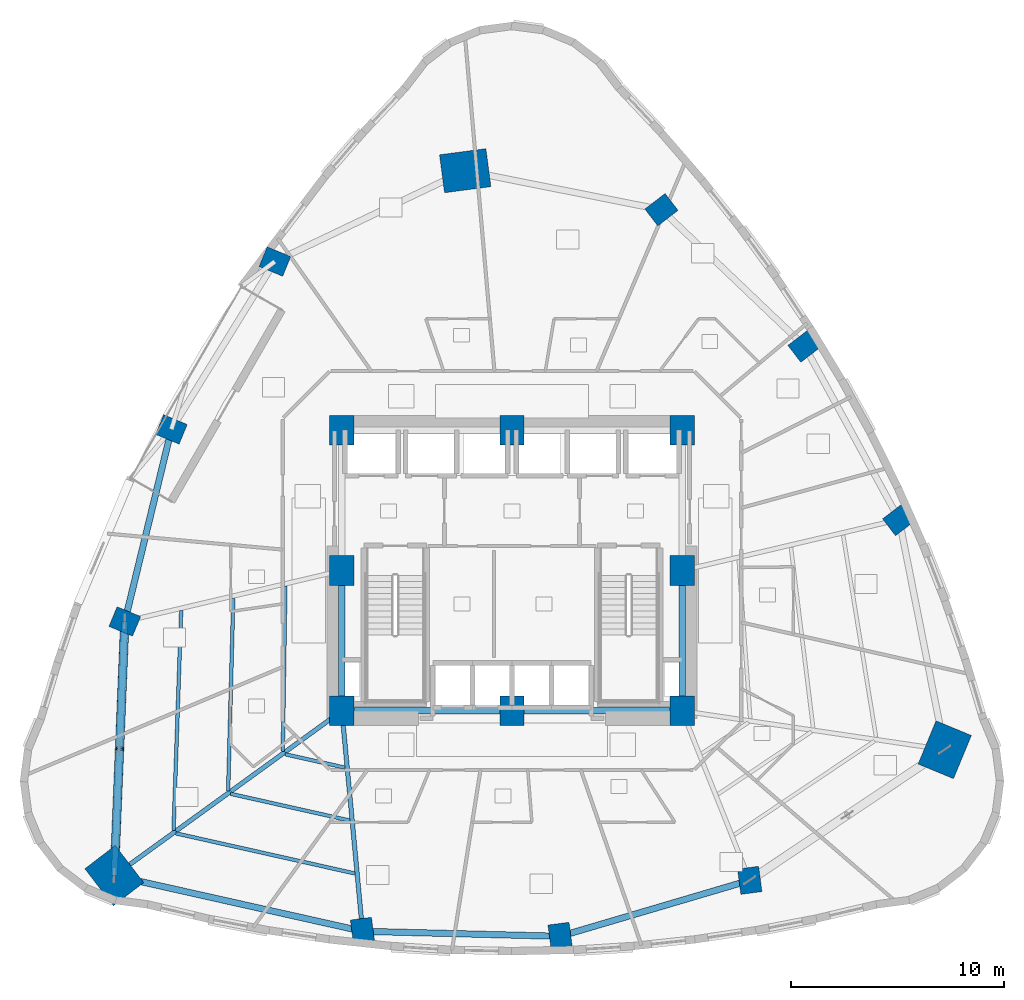
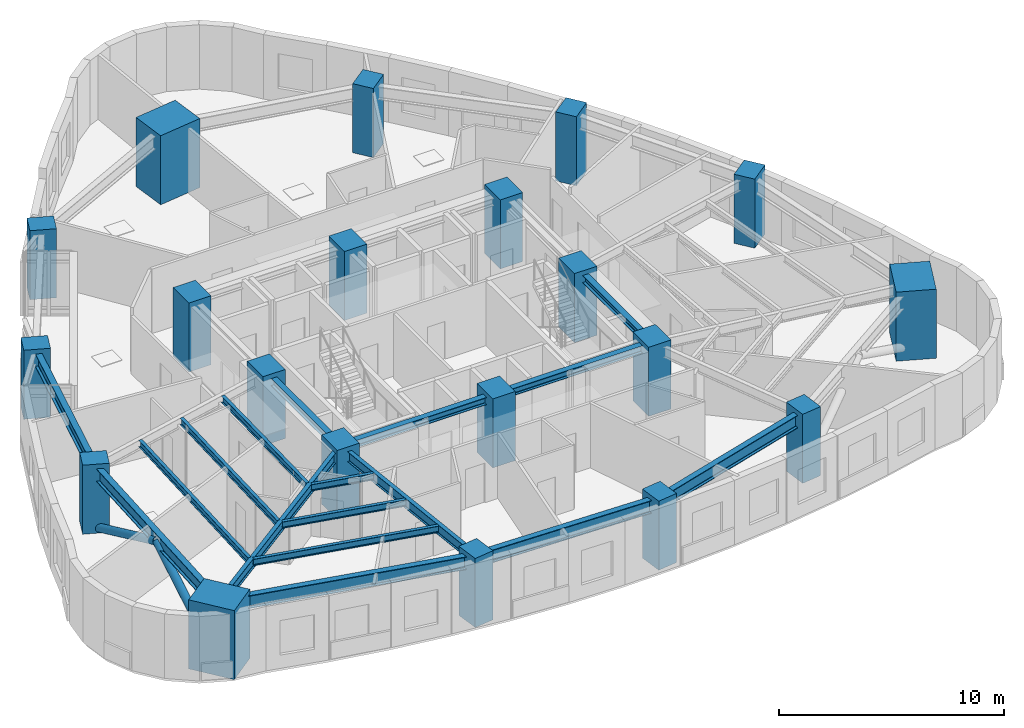
# One storey, part 1 of 13: 20 columns, 17 beams, 2 members.
"""IFC4 building model written with IfcOpenShell, lengths in metres."""

from ifc_helpers import new_model, si_unit, direction, frame, origin, origin_2d, place, context, subcontext, project, spatial, rectangle, hollow_circle, i_section, extrude, material, material_profile, profile_set, type_object, element, save


model = new_model("IFC4")

# Units and contexts
model_context = context("Model", 3, precision=1e-05, world=origin(), true_north=direction((0.0, 1.0)))
body_context = subcontext(model_context, "Body", "Model", "MODEL_VIEW")
ifc_project = project(units=[si_unit("LENGTHUNIT", "METRE"), si_unit("AREAUNIT", "SQUARE_METRE"), si_unit("VOLUMEUNIT", "CUBIC_METRE"), si_unit("PLANEANGLEUNIT", "RADIAN"), si_unit("MASSUNIT", "GRAM", prefix="KILO")], contexts=[model_context])

# Site, building, storey
site_placement = place(None, origin())
site = spatial("IfcSite", under=ifc_project, at=site_placement, CompositionType="ELEMENT")
building_placement = place(site_placement, origin())
building = spatial("IfcBuilding", under=site, at=building_placement, Name="Ndelora Gate Hotel", CompositionType="ELEMENT")
storey_placement = place(building_placement, frame((0.0, 0.0, 34.25)))
storey = spatial("IfcBuildingStorey", under=building, at=storey_placement, Name="L07", CompositionType="ELEMENT", Elevation=34.25)

# Columns
ifc_material_1 = material(Name="Concrete C60/75", Category="concrete")
ifc_material_profile_1 = material_profile(ifc_material_1, rectangle(XDim=1.14990234375, YDim=1.39990234375, at=origin_2d()), Name="RC 1400x1150")
ifc_profile_set_1 = profile_set([ifc_material_profile_1], Name="Concrete C60/75")
column_type_1 = type_object("IfcColumnType", Name="COL-CC-LOW", PredefinedType="COLUMN", material=ifc_profile_set_1)
for number, where, z_axis, x_axis, name in (
    (1, (-8.0, -6.60009765625, 0.0), (0.0, 0.0, 1.0), (1.0, 0.0, 0.0), "L07 Core Column CC1"),
    (2, (0.0, -6.60009765625, 0.0), (0.0, 0.0, 1.0), (1.0, 0.0, 0.0), "L07 Core Column CC2"),
    (3, (8.0, -6.60009765625, 0.0), (0.0, 0.0, 1.0), (1.0, 0.0, 0.0), "L07 Core Column CC3"),
    (4, (8.0, 0.0, 0.0), (0.0, 0.0, 1.0), (1.0, 0.0, 0.0), "L07 Core Column CC4"),
    (5, (8.0, 6.60009765625, 0.0), (0.0, 0.0, 1.0), (1.0, 0.0, 0.0), "L07 Core Column CC5"),
    (6, (0.0, 6.60009765625, 0.0), (0.0, 0.0, 1.0), (1.0, 0.0, 0.0), "L07 Core Column CC6"),
    (7, (-8.0, 6.60009765625, 0.0), (0.0, 0.0, 1.0), (1.0, 0.0, 0.0), "L07 Core Column CC7"),
    (8, (-8.0, 0.0, 0.0), (0.0, 0.0, 1.0), (1.0, 0.0, 0.0), "L07 Core Column CC8"),
):
    element("IfcColumn", number, at=place(storey_placement, frame(where, z_axis=z_axis, x_axis=x_axis)), inside=storey, type_object=column_type_1, Name=name, PredefinedType="COLUMN", context=body_context, shape_type="SweptSolid", body=[
        extrude(rectangle(XDim=1.14990234375, YDim=1.39990234375, at=origin_2d()), origin(), (0.0, 0.0, 1.0), 3.75),
    ])
ifc_material_profile_2 = material_profile(ifc_material_1, rectangle(XDim=1.800048828125, YDim=2.199951171875, at=origin_2d()), Name="RC 2200x1800")
ifc_profile_set_2 = profile_set([ifc_material_profile_2], Name="Concrete C60/75")
column_type_2 = type_object("IfcColumnType", Name="COL-MC-Z1", PredefinedType="COLUMN", material=ifc_profile_set_2)
for number, where, z_axis, x_axis, name in (
    (9, (-2.199951171875, 18.800048828125, 0.0), (0.0, 0.0, 1.0), (-0.13052619222, 0.991444861374, 0.0), "L07 Corner Mega-Column R1"),
    (10, (-18.701904296875, -14.3505859375, 0.0), (0.0, 0.0, 1.0), (0.793353340291, 0.608761429009, 0.0), "L07 Corner Mega-Column R5"),
    (11, (20.35009765625, -8.42919921875, 0.0), (0.0, 0.0, 1.0), (-0.923879532511, 0.382683432365, 0.0), "L07 Corner Mega-Column R9"),
):
    element("IfcColumn", number, at=place(storey_placement, frame(where, z_axis=z_axis, x_axis=x_axis)), inside=storey, type_object=column_type_2, Name=name, PredefinedType="COLUMN", context=body_context, shape_type="SweptSolid", body=[
        extrude(rectangle(XDim=1.800048828125, YDim=2.199951171875, at=origin_2d()), origin(), (0.0, 0.0, 1.0), 3.75),
    ])
ifc_material_profile_3 = material_profile(ifc_material_1, rectangle(XDim=1.0, YDim=1.199951171875, at=origin_2d()), Name="RC 1200x1000")
ifc_profile_set_3 = profile_set([ifc_material_profile_3], Name="Concrete C60/75")
column_type_3 = type_object("IfcColumnType", Name="COL-PT-Z1", PredefinedType="COLUMN", material=ifc_profile_set_3)
for number, where, z_axis, x_axis, name in (
    (12, (-11.1484375, 14.529052734375, 0.0), (0.0, 0.0, 1.0), (0.382683432365, 0.923879532511, 0.0), "L07 Perimeter Tube Column R2"),
    (13, (-16.016845703125, 6.634521484375, 0.0), (0.0, 0.0, 1.0), (0.382683432365, 0.923879532511, 0.0), "L07 Perimeter Tube Column R3"),
    (14, (-18.207275390625, -2.39697265625, 0.0), (0.0, 0.0, 1.0), (0.382683432365, 0.923879532511, 0.0), "L07 Perimeter Tube Column R4"),
    (15, (-7.027587890625, -16.96630859375, 0.0), (0.0, 0.0, 1.0), (0.991444861374, 0.13052619222, 0.0), "L07 Perimeter Tube Column R6"),
    (16, (2.2646484375, -17.20166015625, 0.0), (0.0, 0.0, 1.0), (0.991444861374, 0.13052619222, 0.0), "L07 Perimeter Tube Column R7"),
    (17, (11.179443359375, -14.5693359375, 0.0), (0.0, 0.0, 1.0), (0.991444861374, 0.13052619222, 0.0), "L07 Perimeter Tube Column R8"),
    (18, (18.207275390625, 2.39697265625, 0.0), (0.0, 0.0, 1.0), (-0.608761429009, 0.793353340291, 0.0), "L07 Perimeter Tube Column R10"),
    (19, (13.75390625, 10.5537109375, 0.0), (0.0, 0.0, 1.0), (-0.608761429009, 0.793353340291, 0.0), "L07 Perimeter Tube Column R11"),
    (20, (7.027587890625, 16.96630859375, 0.0), (0.0, 0.0, 1.0), (-0.608761429009, 0.793353340291, 0.0), "L07 Perimeter Tube Column R12"),
):
    element("IfcColumn", number, at=place(storey_placement, frame(where, z_axis=z_axis, x_axis=x_axis)), inside=storey, type_object=column_type_3, Name=name, PredefinedType="COLUMN", context=body_context, shape_type="SweptSolid", body=[
        extrude(rectangle(XDim=1.0, YDim=1.199951171875, at=origin_2d()), origin(), (0.0, 0.0, 1.0), 3.75),
    ])

# Beams
ifc_material_2 = material(Name="Steel S355", Category="steel")
ifc_material_profile_4 = material_profile(ifc_material_2, i_section(OverallWidth=0.300048828125, OverallDepth=0.39990234375, WebThickness=0.013427734375, FlangeThickness=0.02392578125, FilletRadius=0.027099609375, at=origin_2d()), Name="HEB 400")
ifc_profile_set_4 = profile_set([ifc_material_profile_4], Name="Steel S355")
beam_type_1 = type_object("IfcBeamType", Name="BM-CORE-400", PredefinedType="BEAM", material=ifc_profile_set_4)
for number, where, z_axis, x_axis, name in (
    (21, (-8.0, -6.60009765625, 3.300048828125), (0.0, 1.0, 0.0), (-1.0, 0.0, 0.0), "L07 Core Tie Girder CC1-CC8"),
    (22, (8.0, -6.60009765625, 3.300048828125), (0.0, 1.0, 0.0), (-1.0, 0.0, 0.0), "L07 Core Tie Girder CC3-CC4"),
):
    element("IfcBeam", number, at=place(storey_placement, frame(where, z_axis=z_axis, x_axis=x_axis)), inside=storey, type_object=beam_type_1, Name=name, PredefinedType="BEAM", context=body_context, shape_type="SweptSolid", body=[
        extrude(i_section(OverallWidth=0.300048828125, OverallDepth=0.39990234375, WebThickness=0.013427734375, FlangeThickness=0.02392578125, FilletRadius=0.027099609375, at=origin_2d()), origin(), (0.0, 0.0, 1.0), 6.60009765625),
    ])
for number, where, z_axis, x_axis, name in (
    (23, (-8.0, -6.60009765625, 3.300048828125), (1.0, 0.0, 0.0), (0.0, 1.0, 0.0), "L07 Core Tie Girder CC1-CC2"),
    (24, (0.0, -6.60009765625, 3.300048828125), (1.0, 0.0, 0.0), (0.0, 1.0, 0.0), "L07 Core Tie Girder CC2-CC3"),
):
    element("IfcBeam", number, at=place(storey_placement, frame(where, z_axis=z_axis, x_axis=x_axis)), inside=storey, type_object=beam_type_1, Name=name, PredefinedType="BEAM", context=body_context, shape_type="SweptSolid", body=[
        extrude(i_section(OverallWidth=0.300048828125, OverallDepth=0.39990234375, WebThickness=0.013427734375, FlangeThickness=0.02392578125, FilletRadius=0.027099609375, at=origin_2d()), origin(), (0.0, 0.0, 1.0), 8.0),
    ])
ifc_material_profile_5 = material_profile(ifc_material_2, i_section(OverallWidth=0.169921875, OverallDepth=0.360107421875, WebThickness=0.008056640625, FlangeThickness=0.0126953125, FilletRadius=0.01806640625, at=origin_2d()), Name="IPE 360")
ifc_profile_set_5 = profile_set([ifc_material_profile_5], Name="Steel S355")
beam_type_2 = type_object("IfcBeamType", Name="BM-JST-360", PredefinedType="JOIST", material=ifc_profile_set_5)
beam_1_placement = place(storey_placement, frame((-10.65576171875, -0.73828125, 3.320068359375), z_axis=(-0.016071150123, -0.999870850727, 0.0), x_axis=(0.999870850727, -0.016071150123, 0.0)))
element("IfcBeam", 25, at=beam_1_placement, inside=storey, type_object=beam_type_2, Name="L07 Secondary Composite Floor Joist IN-4", PredefinedType="JOIST", context=body_context, shape_type="SweptSolid", body=[
    extrude(i_section(OverallWidth=0.169921875, OverallDepth=0.360107421875, WebThickness=0.008056640625, FlangeThickness=0.0126953125, FilletRadius=0.01806640625, at=origin_2d()), origin(), (0.0, 0.0, 1.0), 7.7626953125),
])
beam_2_placement = place(storey_placement, frame((-13.106689453125, -1.3134765625, 3.320068359375), z_axis=(-0.02665287705, -0.999644748971, 0.0), x_axis=(0.999644748971, -0.02665287705, 0.0)))
element("IfcBeam", 26, at=beam_2_placement, inside=storey, type_object=beam_type_2, Name="L07 Secondary Composite Floor Joist MID-4", PredefinedType="JOIST", context=body_context, shape_type="SweptSolid", body=[
    extrude(i_section(OverallWidth=0.169921875, OverallDepth=0.360107421875, WebThickness=0.008056640625, FlangeThickness=0.0126953125, FilletRadius=0.01806640625, at=origin_2d()), origin(), (0.0, 0.0, 1.0), 9.050048828125),
])
beam_3_placement = place(storey_placement, frame((-15.557373046875, -1.888671875, 3.320068359375), z_axis=(-0.034620883261, -0.999400517532, 0.0), x_axis=(0.999400517532, -0.034620883261, 0.0)))
element("IfcBeam", 27, at=beam_3_placement, inside=storey, type_object=beam_type_2, Name="L07 Secondary Composite Floor Joist OUT-4", PredefinedType="JOIST", context=body_context, shape_type="SweptSolid", body=[
    extrude(i_section(OverallWidth=0.169921875, OverallDepth=0.360107421875, WebThickness=0.008056640625, FlangeThickness=0.0126953125, FilletRadius=0.01806640625, at=origin_2d()), origin(), (0.0, 0.0, 1.0), 10.337890625),
])
beam_4_placement = place(storey_placement, frame((-10.67041015625, -8.640380859375, 3.320068359375), z_axis=(0.975820751938, -0.218572322325, 0.0), x_axis=(0.218572322325, 0.975820751938, 0.0)))
element("IfcBeam", 28, at=beam_4_placement, inside=storey, type_object=beam_type_2, Name="L07 Secondary Composite Floor Joist IN-5", PredefinedType="JOIST", context=body_context, shape_type="SweptSolid", body=[
    extrude(i_section(OverallWidth=0.169921875, OverallDepth=0.360107421875, WebThickness=0.008056640625, FlangeThickness=0.0126953125, FilletRadius=0.01806640625, at=origin_2d()), origin(), (0.0, 0.0, 1.0), 2.880615234375),
])
beam_5_placement = place(storey_placement, frame((-13.23876953125, -10.50048828125, 3.320068359375), z_axis=(0.975805037012, -0.218642470123, 0.0), x_axis=(0.218642470123, 0.975805037012, 0.0)))
element("IfcBeam", 29, at=beam_5_placement, inside=storey, type_object=beam_type_2, Name="L07 Secondary Composite Floor Joist MID-5", PredefinedType="JOIST", context=body_context, shape_type="SweptSolid", body=[
    extrude(i_section(OverallWidth=0.169921875, OverallDepth=0.360107421875, WebThickness=0.008056640625, FlangeThickness=0.0126953125, FilletRadius=0.01806640625, at=origin_2d()), origin(), (0.0, 0.0, 1.0), 5.751708984375),
])
beam_6_placement = place(storey_placement, frame((-15.80712890625, -12.360595703125, 3.320068359375), z_axis=(0.975802493229, -0.218653822759, 0.0), x_axis=(0.218653822759, 0.975802493229, 0.0)))
element("IfcBeam", 30, at=beam_6_placement, inside=storey, type_object=beam_type_2, Name="L07 Secondary Composite Floor Joist OUT-5", PredefinedType="JOIST", context=body_context, shape_type="SweptSolid", body=[
    extrude(i_section(OverallWidth=0.169921875, OverallDepth=0.360107421875, WebThickness=0.008056640625, FlangeThickness=0.0126953125, FilletRadius=0.01806640625, at=origin_2d()), origin(), (0.0, 0.0, 1.0), 8.623291015625),
])
ifc_material_profile_6 = material_profile(ifc_material_2, i_section(OverallWidth=0.2099609375, OverallDepth=0.550048828125, WebThickness=0.010986328125, FlangeThickness=0.01708984375, FilletRadius=0.02392578125, at=origin_2d()), Name="IPE 550")
ifc_profile_set_6 = profile_set([ifc_material_profile_6], Name="Steel S355")
beam_type_3 = type_object("IfcBeamType", Name="BM-RAD-550", PredefinedType="BEAM", material=ifc_profile_set_6)
beam_7_placement = place(storey_placement, frame((-8.0, -6.60009765625, 3.22509765625), z_axis=(-0.809912157619, -0.586551188679, 0.0), x_axis=(0.586551188679, -0.809912157619, 0.0)))
element("IfcBeam", 31, at=beam_7_placement, inside=storey, type_object=beam_type_3, Name="L07 Radial Floor Girder 5", PredefinedType="BEAM", context=body_context, shape_type="SweptSolid", body=[
    extrude(i_section(OverallWidth=0.2099609375, OverallDepth=0.550048828125, WebThickness=0.010986328125, FlangeThickness=0.01708984375, FilletRadius=0.02392578125, at=origin_2d()), origin(), (0.0, 0.0, 1.0), 13.213623046875),
])
beam_8_placement = place(storey_placement, frame((-8.0, -6.60009765625, 3.22509765625), z_axis=(0.093395913855, -0.995629049031, 0.0), x_axis=(0.995629049031, 0.093395913855, 0.0)))
element("IfcBeam", 32, at=beam_8_placement, inside=storey, type_object=beam_type_3, Name="L07 Radial Floor Girder 6", PredefinedType="BEAM", context=body_context, shape_type="SweptSolid", body=[
    extrude(i_section(OverallWidth=0.2099609375, OverallDepth=0.550048828125, WebThickness=0.010986328125, FlangeThickness=0.01708984375, FilletRadius=0.02392578125, at=origin_2d()), origin(), (0.0, 0.0, 1.0), 10.41162109375),
])
ifc_material_profile_7 = material_profile(ifc_material_2, i_section(OverallWidth=0.300048828125, OverallDepth=0.699951171875, WebThickness=0.01708984375, FlangeThickness=0.031982421875, FilletRadius=0.027099609375, at=origin_2d()), Name="HEB 700")
ifc_profile_set_7 = profile_set([ifc_material_profile_7], Name="Steel S355")
beam_type_4 = type_object("IfcBeamType", Name="BM-RING-700", PredefinedType="SPANDREL", material=ifc_profile_set_7)
beam_9_placement = place(storey_placement, frame((-16.016845703125, 6.634521484375, 3.14990234375), z_axis=(-0.235699273714, -0.971826040179, 0.0), x_axis=(0.971826040179, -0.235699273714, 0.0)))
element("IfcBeam", 33, at=beam_9_placement, inside=storey, type_object=beam_type_4, Name="L07 Perimeter Spandrel Girder 3", PredefinedType="SPANDREL", context=body_context, shape_type="SweptSolid", body=[
    extrude(i_section(OverallWidth=0.300048828125, OverallDepth=0.699951171875, WebThickness=0.01708984375, FlangeThickness=0.031982421875, FilletRadius=0.027099609375, at=origin_2d()), origin(), (0.0, 0.0, 1.0), 9.293212890625),
])
for number, where, z_axis, x_axis, name in (
    (34, (-18.207275390625, -2.39697265625, 3.14990234375), (-0.041343648978, -0.99914498582, 0.0), (0.99914498582, -0.041343648978, 0.0), "L07 Perimeter Spandrel Girder 4"),
    (35, (-18.701904296875, -14.3505859375, 3.14990234375), (0.97580624377, -0.218637084273, 0.0), (0.218637084273, 0.97580624377, 0.0), "L07 Perimeter Spandrel Girder 5"),
):
    element("IfcBeam", number, at=place(storey_placement, frame(where, z_axis=z_axis, x_axis=x_axis)), inside=storey, type_object=beam_type_4, Name=name, PredefinedType="SPANDREL", context=body_context, shape_type="SweptSolid", body=[
        extrude(i_section(OverallWidth=0.300048828125, OverallDepth=0.699951171875, WebThickness=0.01708984375, FlangeThickness=0.031982421875, FilletRadius=0.027099609375, at=origin_2d()), origin(), (0.0, 0.0, 1.0), 11.9638671875),
    ])
beam_10_placement = place(storey_placement, frame((-7.027587890625, -16.96630859375, 3.14990234375), z_axis=(0.999679406439, -0.025319643409, 0.0), x_axis=(0.025319643409, 0.999679406439, 0.0)))
element("IfcBeam", 36, at=beam_10_placement, inside=storey, type_object=beam_type_4, Name="L07 Perimeter Spandrel Girder 6", PredefinedType="SPANDREL", context=body_context, shape_type="SweptSolid", body=[
    extrude(i_section(OverallWidth=0.300048828125, OverallDepth=0.699951171875, WebThickness=0.01708984375, FlangeThickness=0.031982421875, FilletRadius=0.027099609375, at=origin_2d()), origin(), (0.0, 0.0, 1.0), 9.295166015625),
])
beam_11_placement = place(storey_placement, frame((2.2646484375, -17.20166015625, 3.14990234375), z_axis=(0.959064248316, 0.283188572514, 0.0), x_axis=(-0.283188572514, 0.959064248316, 0.0)))
element("IfcBeam", 37, at=beam_11_placement, inside=storey, type_object=beam_type_4, Name="L07 Perimeter Spandrel Girder 7", PredefinedType="SPANDREL", context=body_context, shape_type="SweptSolid", body=[
    extrude(i_section(OverallWidth=0.300048828125, OverallDepth=0.699951171875, WebThickness=0.01708984375, FlangeThickness=0.031982421875, FilletRadius=0.027099609375, at=origin_2d()), origin(), (0.0, 0.0, 1.0), 9.29541015625),
])

# Members
ifc_material_profile_8 = material_profile(ifc_material_2, hollow_circle(Radius=0.202880859375, WallThickness=0.02001953125, at=origin_2d()), Name="CHS 406x20")
ifc_profile_set_8 = profile_set([ifc_material_profile_8], Name="Steel S355")
member_type = type_object("IfcMemberType", Name="MB-TUBE-406", PredefinedType="BRACE", material=ifc_profile_set_8)
for number, where, z_axis, x_axis, name in (
    (38, (-18.207275390625, -2.39697265625, 0.02001953125), (-0.037129162341, -0.897294198679, 0.439868783071), (0.99914498582, -0.041343648978, 0.0), "L07 Perimeter Braced-Tube Diagonal 4A"),
    (39, (-18.701904296875, -14.3505859375, 0.02001953125), (0.037129162341, 0.897294198679, 0.439868783071), (-0.99914498582, 0.041343648978, 0.0), "L07 Perimeter Braced-Tube Diagonal 4B"),
):
    element("IfcMember", number, at=place(storey_placement, frame(where, z_axis=z_axis, x_axis=x_axis)), inside=storey, type_object=member_type, Name=name, PredefinedType="BRACE", context=body_context, shape_type="SweptSolid", body=[
        extrude(hollow_circle(Radius=0.202880859375, WallThickness=0.02001953125, at=origin_2d()), origin(), (0.0, 0.0, 1.0), 6.660888671875),
    ])

save(model, "model.ifc")
